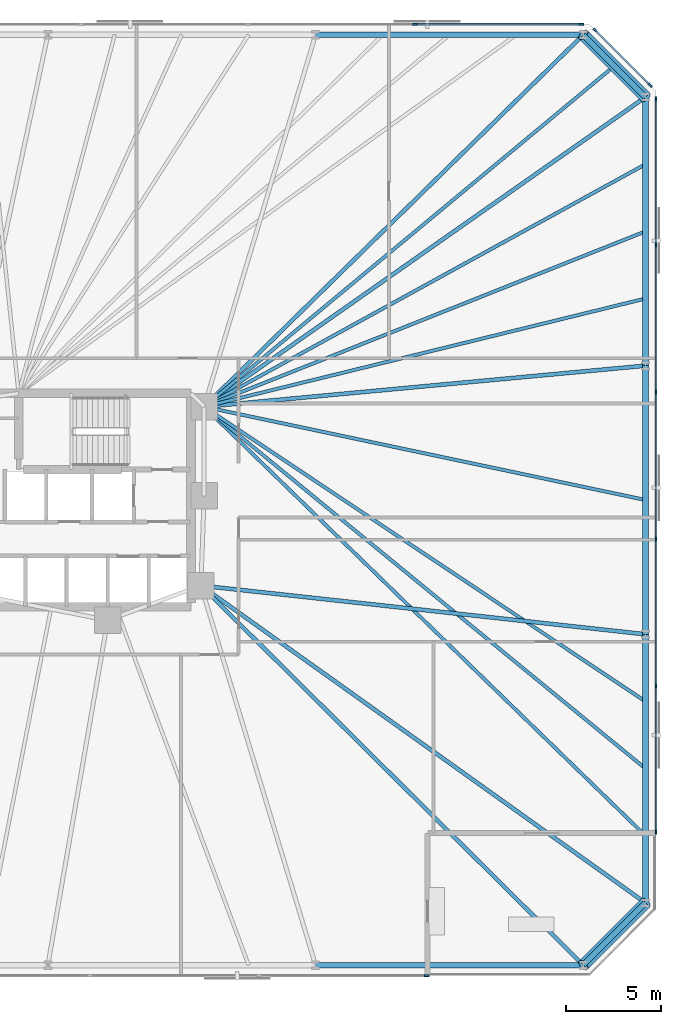
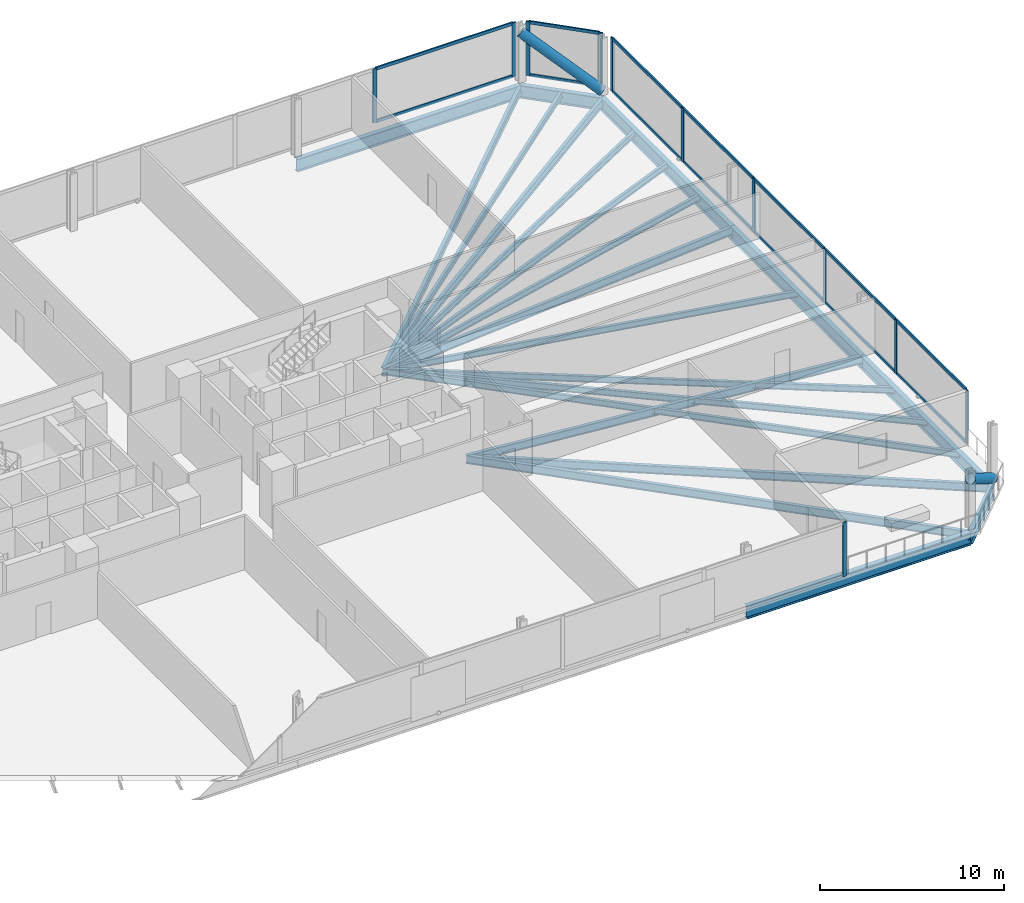
# One storey, part 10 of 17: 27 members, 21 beams, 4 elements without a shape of their own.
"""IFC4 building model written with IfcOpenShell, lengths in metres."""

from ifc_helpers import new_model, si_unit, direction, frame, origin, origin_2d, place, context, subcontext, project, spatial, rectangle, hollow_circle, i_section, extrude, material, material_profile, profile_set, type_object, element, aggregate, save


model = new_model("IFC4")

# Units and contexts
model_context = context("Model", 3, precision=1e-05, world=origin(), true_north=direction((0.0, 1.0)))
body_context = subcontext(model_context, "Body", "Model", "MODEL_VIEW")
ifc_project = project(units=[si_unit("LENGTHUNIT", "METRE"), si_unit("AREAUNIT", "SQUARE_METRE"), si_unit("VOLUMEUNIT", "CUBIC_METRE"), si_unit("PLANEANGLEUNIT", "RADIAN"), si_unit("MASSUNIT", "GRAM", prefix="KILO")], contexts=[model_context])

# Site, building, storey
site_placement = place(None, origin())
site = spatial("IfcSite", under=ifc_project, at=site_placement, CompositionType="ELEMENT")
building_placement = place(site_placement, origin())
building = spatial("IfcBuilding", under=site, at=building_placement, Name="Menara Jurai Vektor", CompositionType="ELEMENT")
storey_placement = place(building_placement, frame((0.0, 0.0, 44.60009765625)))
storey = spatial("IfcBuildingStorey", under=building, at=storey_placement, Name="L10", CompositionType="ELEMENT", Elevation=44.60009765625)

# Curtain wall, members
ifc_material_1 = material(Name="Anodised Pale Aluminium & Low-E Double Glazing", Category="aluminium")
curtain_wall_type = type_object("IfcCurtainWallType", Name="CW-BLK1", PredefinedType="NOTDEFINED", material=ifc_material_1)
curtain_wall_1_placement = place(storey_placement, origin())
curtain_wall_1 = element("IfcCurtainWall", 1, at=curtain_wall_1_placement, inside=storey, type_object=curtain_wall_type, Name="Unitised Curtain Wall L10 F03", PredefinedType="NOTDEFINED")
ifc_material_2 = material(Name="Anodised Pale Aluminium Mullion", Category="aluminium")
ifc_material_profile_1 = material_profile(ifc_material_2, rectangle(XDim=0.094970703125, YDim=0.239990234375, at=origin_2d()), Name="ALU MUL 95x240")
ifc_profile_set_1 = profile_set([ifc_material_profile_1], Name="Anodised Pale Aluminium Mullion")
member_type_1 = type_object("IfcMemberType", Name="CW-BLK1-MUL", PredefinedType="MULLION", material=ifc_profile_set_1)
member_1_placement = place(storey_placement, frame((39.0, -17.452392578125, 0.0), z_axis=(0.0, 0.0, 1.0), x_axis=(-1.0, 0.0, 0.0)))
member_1 = element("IfcMember", 2, at=member_1_placement, type_object=member_type_1, Name="CW-01 mullion 1", PredefinedType="MULLION", context=body_context, shape_type="SweptSolid", body=[
    extrude(rectangle(XDim=0.094970703125, YDim=0.239990234375, at=origin_2d()), origin(), (0.0, 0.0, 1.0), 3.574951171875),
])
member_2_placement = place(storey_placement, frame((39.0, -9.77587890625, 0.0), z_axis=(0.0, 0.0, 1.0), x_axis=(-1.0, 0.0, 0.0)))
member_2 = element("IfcMember", 3, at=member_2_placement, type_object=member_type_1, Name="CW-01 mullion 2", PredefinedType="MULLION", context=body_context, shape_type="SweptSolid", body=[
    extrude(rectangle(XDim=0.094970703125, YDim=0.239990234375, at=origin_2d()), origin(), (0.0, 0.0, 1.0), 3.574951171875),
])
member_3_placement = place(storey_placement, frame((39.0, -2.052001953125, 0.0), z_axis=(0.0, 0.0, 1.0), x_axis=(-1.0, 0.0, 0.0)))
member_3 = element("IfcMember", 4, at=member_3_placement, type_object=member_type_1, Name="CW-01 mullion 3", PredefinedType="MULLION", context=body_context, shape_type="SweptSolid", body=[
    extrude(rectangle(XDim=0.094970703125, YDim=0.239990234375, at=origin_2d()), origin(), (0.0, 0.0, 1.0), 3.574951171875),
])
member_4_placement = place(storey_placement, frame((39.0, 5.672119140625, 0.0), z_axis=(0.0, 0.0, 1.0), x_axis=(-1.0, 0.0, 0.0)))
member_4 = element("IfcMember", 5, at=member_4_placement, type_object=member_type_1, Name="CW-01 mullion 4", PredefinedType="MULLION", context=body_context, shape_type="SweptSolid", body=[
    extrude(rectangle(XDim=0.094970703125, YDim=0.239990234375, at=origin_2d()), origin(), (0.0, 0.0, 1.0), 3.574951171875),
])
member_5_placement = place(storey_placement, frame((39.0, 13.39599609375, 0.0), z_axis=(0.0, 0.0, 1.0), x_axis=(-1.0, 0.0, 0.0)))
member_5 = element("IfcMember", 6, at=member_5_placement, type_object=member_type_1, Name="CW-01 mullion 5", PredefinedType="MULLION", context=body_context, shape_type="SweptSolid", body=[
    extrude(rectangle(XDim=0.094970703125, YDim=0.239990234375, at=origin_2d()), origin(), (0.0, 0.0, 1.0), 3.574951171875),
])
member_6_placement = place(storey_placement, frame((39.0, 21.072509765625, 0.0), z_axis=(0.0, 0.0, 1.0), x_axis=(-1.0, 0.0, 0.0)))
member_6 = element("IfcMember", 7, at=member_6_placement, type_object=member_type_1, Name="CW-01 mullion 6", PredefinedType="MULLION", context=body_context, shape_type="SweptSolid", body=[
    extrude(rectangle(XDim=0.094970703125, YDim=0.239990234375, at=origin_2d()), origin(), (0.0, 0.0, 1.0), 3.574951171875),
])

curtain_wall_2_placement = place(storey_placement, origin())
curtain_wall_2 = element("IfcCurtainWall", 8, at=curtain_wall_2_placement, inside=storey, type_object=curtain_wall_type, Name="Unitised Curtain Wall L10 F04", PredefinedType="NOTDEFINED")
member_7_placement = place(storey_placement, frame((38.69775390625, 21.80224609375, 0.0), z_axis=(0.0, 0.0, 1.0), x_axis=(-0.707106781187, -0.707106781187, 0.0)))
member_7 = element("IfcMember", 9, at=member_7_placement, type_object=member_type_1, Name="CW-01 mullion 1", PredefinedType="MULLION", context=body_context, shape_type="SweptSolid", body=[
    extrude(rectangle(XDim=0.094970703125, YDim=0.239990234375, at=origin_2d()), origin(), (0.0, 0.0, 1.0), 3.574951171875),
])
member_8_placement = place(storey_placement, frame((35.80224609375, 24.69775390625, 0.0), z_axis=(0.0, 0.0, 1.0), x_axis=(-0.707106781187, -0.707106781187, 0.0)))
member_8 = element("IfcMember", 10, at=member_8_placement, type_object=member_type_1, Name="CW-01 mullion 2", PredefinedType="MULLION", context=body_context, shape_type="SweptSolid", body=[
    extrude(rectangle(XDim=0.094970703125, YDim=0.239990234375, at=origin_2d()), origin(), (0.0, 0.0, 1.0), 3.574951171875),
])

curtain_wall_3_placement = place(storey_placement, origin())
curtain_wall_3 = element("IfcCurtainWall", 11, at=curtain_wall_3_placement, inside=storey, type_object=curtain_wall_type, Name="Unitised Curtain Wall L10 F05", PredefinedType="NOTDEFINED")
member_9_placement = place(storey_placement, frame((35.072509765625, 25.0, 0.0), z_axis=(0.0, 0.0, 1.0), x_axis=(0.0, -1.0, 0.0)))
member_9 = element("IfcMember", 12, at=member_9_placement, type_object=member_type_1, Name="CW-01 mullion 1", PredefinedType="MULLION", context=body_context, shape_type="SweptSolid", body=[
    extrude(rectangle(XDim=0.094970703125, YDim=0.239990234375, at=origin_2d()), origin(), (0.0, 0.0, 1.0), 3.574951171875),
])
member_10_placement = place(storey_placement, frame((26.340087890625, 25.0, 0.0), z_axis=(0.0, 0.0, 1.0), x_axis=(0.0, -1.0, 0.0)))
member_10 = element("IfcMember", 13, at=member_10_placement, type_object=member_type_1, Name="CW-01 mullion 2", PredefinedType="MULLION", context=body_context, shape_type="SweptSolid", body=[
    extrude(rectangle(XDim=0.094970703125, YDim=0.239990234375, at=origin_2d()), origin(), (0.0, 0.0, 1.0), 3.574951171875),
])

# Curtain wall, member
curtain_wall_4_placement = place(storey_placement, origin())
curtain_wall_4 = element("IfcCurtainWall", 14, at=curtain_wall_4_placement, inside=storey, type_object=curtain_wall_type, Name="Unitised Curtain Wall L10 F09", PredefinedType="NOTDEFINED")
member_11_placement = place(storey_placement, frame((26.952392578125, -25.0, 0.0), z_axis=(0.0, 0.0, 1.0), x_axis=(0.0, 1.0, 0.0)))
member_11 = element("IfcMember", 15, at=member_11_placement, type_object=member_type_1, Name="CW-01 mullion 8", PredefinedType="MULLION", context=body_context, shape_type="SweptSolid", body=[
    extrude(rectangle(XDim=0.094970703125, YDim=0.239990234375, at=origin_2d()), origin(), (0.0, 0.0, 1.0), 3.574951171875),
])
aggregate(curtain_wall_4, [member_11])

# Member
ifc_material_3 = material(Name="Anodised Pale Aluminium Transom", Category="aluminium")
ifc_material_profile_2 = material_profile(ifc_material_3, rectangle(XDim=0.094970703125, YDim=0.199951171875, at=origin_2d()), Name="ALU TRN 95x200")
ifc_profile_set_2 = profile_set([ifc_material_profile_2], Name="Anodised Pale Aluminium Transom")
member_type_2 = type_object("IfcMemberType", Name="CW-BLK1-TRN", PredefinedType="USERDEFINED", material=ifc_profile_set_2)
member_12_placement = place(storey_placement, frame((39.0, -17.405029296875, 0.04736328125), z_axis=(0.0, 1.0, 0.0), x_axis=(-1.0, 0.0, 0.0)))
member_12 = element("IfcMember", 16, at=member_12_placement, type_object=member_type_2, Name="CW-01 transom 1.1", ObjectType="TRANSOM", PredefinedType="USERDEFINED", context=body_context, shape_type="SweptSolid", body=[
    extrude(rectangle(XDim=0.094970703125, YDim=0.199951171875, at=origin_2d()), origin(), (0.0, 0.0, 1.0), 7.58154296875),
])

member_13_placement = place(storey_placement, frame((39.0, -17.405029296875, 3.52734375), z_axis=(0.0, 1.0, 0.0), x_axis=(-1.0, 0.0, 0.0)))
member_13 = element("IfcMember", 17, at=member_13_placement, type_object=member_type_2, Name="CW-01 transom 1.2", ObjectType="TRANSOM", PredefinedType="USERDEFINED", context=body_context, shape_type="SweptSolid", body=[
    extrude(rectangle(XDim=0.094970703125, YDim=0.199951171875, at=origin_2d()), origin(), (0.0, 0.0, 1.0), 7.58154296875),
])

member_14_placement = place(storey_placement, frame((39.0, -9.728515625, 0.04736328125), z_axis=(0.0, 1.0, 0.0), x_axis=(-1.0, 0.0, 0.0)))
member_14 = element("IfcMember", 18, at=member_14_placement, type_object=member_type_2, Name="CW-01 transom 2.1", ObjectType="TRANSOM", PredefinedType="USERDEFINED", context=body_context, shape_type="SweptSolid", body=[
    extrude(rectangle(XDim=0.094970703125, YDim=0.199951171875, at=origin_2d()), origin(), (0.0, 0.0, 1.0), 7.62890625),
])

member_15_placement = place(storey_placement, frame((39.0, -9.728515625, 3.52734375), z_axis=(0.0, 1.0, 0.0), x_axis=(-1.0, 0.0, 0.0)))
member_15 = element("IfcMember", 19, at=member_15_placement, type_object=member_type_2, Name="CW-01 transom 2.2", ObjectType="TRANSOM", PredefinedType="USERDEFINED", context=body_context, shape_type="SweptSolid", body=[
    extrude(rectangle(XDim=0.094970703125, YDim=0.199951171875, at=origin_2d()), origin(), (0.0, 0.0, 1.0), 7.62890625),
])

member_16_placement = place(storey_placement, frame((39.0, -2.00439453125, 0.04736328125), z_axis=(0.0, 1.0, 0.0), x_axis=(-1.0, 0.0, 0.0)))
member_16 = element("IfcMember", 20, at=member_16_placement, type_object=member_type_2, Name="CW-01 transom 3.1", ObjectType="TRANSOM", PredefinedType="USERDEFINED", context=body_context, shape_type="SweptSolid", body=[
    extrude(rectangle(XDim=0.094970703125, YDim=0.199951171875, at=origin_2d()), origin(), (0.0, 0.0, 1.0), 7.62890625),
])

member_17_placement = place(storey_placement, frame((39.0, -2.00439453125, 3.52734375), z_axis=(0.0, 1.0, 0.0), x_axis=(-1.0, 0.0, 0.0)))
member_17 = element("IfcMember", 21, at=member_17_placement, type_object=member_type_2, Name="CW-01 transom 3.2", ObjectType="TRANSOM", PredefinedType="USERDEFINED", context=body_context, shape_type="SweptSolid", body=[
    extrude(rectangle(XDim=0.094970703125, YDim=0.199951171875, at=origin_2d()), origin(), (0.0, 0.0, 1.0), 7.62890625),
])

member_18_placement = place(storey_placement, frame((39.0, 5.719482421875, 0.04736328125), z_axis=(0.0, 1.0, 0.0), x_axis=(-1.0, 0.0, 0.0)))
member_18 = element("IfcMember", 22, at=member_18_placement, type_object=member_type_2, Name="CW-01 transom 4.1", ObjectType="TRANSOM", PredefinedType="USERDEFINED", context=body_context, shape_type="SweptSolid", body=[
    extrude(rectangle(XDim=0.094970703125, YDim=0.199951171875, at=origin_2d()), origin(), (0.0, 0.0, 1.0), 7.62890625),
])

member_19_placement = place(storey_placement, frame((39.0, 5.719482421875, 3.52734375), z_axis=(0.0, 1.0, 0.0), x_axis=(-1.0, 0.0, 0.0)))
member_19 = element("IfcMember", 23, at=member_19_placement, type_object=member_type_2, Name="CW-01 transom 4.2", ObjectType="TRANSOM", PredefinedType="USERDEFINED", context=body_context, shape_type="SweptSolid", body=[
    extrude(rectangle(XDim=0.094970703125, YDim=0.199951171875, at=origin_2d()), origin(), (0.0, 0.0, 1.0), 7.62890625),
])

member_20_placement = place(storey_placement, frame((39.0, 13.443603515625, 0.04736328125), z_axis=(0.0, 1.0, 0.0), x_axis=(-1.0, 0.0, 0.0)))
member_20 = element("IfcMember", 24, at=member_20_placement, type_object=member_type_2, Name="CW-01 transom 5.1", ObjectType="TRANSOM", PredefinedType="USERDEFINED", context=body_context, shape_type="SweptSolid", body=[
    extrude(rectangle(XDim=0.094970703125, YDim=0.199951171875, at=origin_2d()), origin(), (0.0, 0.0, 1.0), 7.581298828125),
])

member_21_placement = place(storey_placement, frame((39.0, 13.443603515625, 3.52734375), z_axis=(0.0, 1.0, 0.0), x_axis=(-1.0, 0.0, 0.0)))
member_21 = element("IfcMember", 25, at=member_21_placement, type_object=member_type_2, Name="CW-01 transom 5.2", ObjectType="TRANSOM", PredefinedType="USERDEFINED", context=body_context, shape_type="SweptSolid", body=[
    extrude(rectangle(XDim=0.094970703125, YDim=0.199951171875, at=origin_2d()), origin(), (0.0, 0.0, 1.0), 7.581298828125),
])

aggregate(curtain_wall_1, [member_1, member_2, member_3, member_4, member_5, member_6, member_12, member_13, member_14, member_15, member_16, member_17, member_18, member_19, member_20, member_21])

member_22_placement = place(storey_placement, frame((38.6640625, 21.8359375, 0.04736328125), z_axis=(-0.707106781187, 0.707106781187, 0.0), x_axis=(-0.707106781187, -0.707106781187, 0.0)))
member_22 = element("IfcMember", 26, at=member_22_placement, type_object=member_type_2, Name="CW-01 transom 1.1", ObjectType="TRANSOM", PredefinedType="USERDEFINED", context=body_context, shape_type="SweptSolid", body=[
    extrude(rectangle(XDim=0.094970703125, YDim=0.199951171875, at=origin_2d()), origin(), (0.0, 0.0, 1.0), 3.99951171875),
])

member_23_placement = place(storey_placement, frame((38.6640625, 21.8359375, 3.52734375), z_axis=(-0.707106781187, 0.707106781187, 0.0), x_axis=(-0.707106781187, -0.707106781187, 0.0)))
member_23 = element("IfcMember", 27, at=member_23_placement, type_object=member_type_2, Name="CW-01 transom 1.2", ObjectType="TRANSOM", PredefinedType="USERDEFINED", context=body_context, shape_type="SweptSolid", body=[
    extrude(rectangle(XDim=0.094970703125, YDim=0.199951171875, at=origin_2d()), origin(), (0.0, 0.0, 1.0), 3.99951171875),
])

aggregate(curtain_wall_2, [member_7, member_8, member_22, member_23])

member_24_placement = place(storey_placement, frame((35.02490234375, 25.0, 0.04736328125), z_axis=(-1.0, 0.0, 0.0), x_axis=(0.0, -1.0, 0.0)))
member_24 = element("IfcMember", 28, at=member_24_placement, type_object=member_type_2, Name="CW-01 transom 1.1", ObjectType="TRANSOM", PredefinedType="USERDEFINED", context=body_context, shape_type="SweptSolid", body=[
    extrude(rectangle(XDim=0.094970703125, YDim=0.199951171875, at=origin_2d()), origin(), (0.0, 0.0, 1.0), 8.637451171875),
])

member_25_placement = place(storey_placement, frame((35.02490234375, 25.0, 3.52734375), z_axis=(-1.0, 0.0, 0.0), x_axis=(0.0, -1.0, 0.0)))
member_25 = element("IfcMember", 29, at=member_25_placement, type_object=member_type_2, Name="CW-01 transom 1.2", ObjectType="TRANSOM", PredefinedType="USERDEFINED", context=body_context, shape_type="SweptSolid", body=[
    extrude(rectangle(XDim=0.094970703125, YDim=0.199951171875, at=origin_2d()), origin(), (0.0, 0.0, 1.0), 8.637451171875),
])

aggregate(curtain_wall_3, [member_9, member_10, member_24, member_25])

# Beams
ifc_material_4 = material(Name="Steel S355", Category="steel")
ifc_material_profile_3 = material_profile(ifc_material_4, i_section(OverallWidth=0.2109375, OverallDepth=0.5390625, WebThickness=0.011962890625, FlangeThickness=0.01904296875, FilletRadius=0.012939453125, at=origin_2d()), Name="UKB 533x210x109")
ifc_profile_set_3 = profile_set([ifc_material_profile_3], Name="Steel S355")
beam_type_1 = type_object("IfcBeamType", Name="STR-BM-533", PredefinedType="BEAM", material=ifc_profile_set_3)
beam_1_placement = place(storey_placement, frame((35.177734375, -24.449951171875, -0.49462890625), z_axis=(-0.709709931659, 0.704494011972, 0.0), x_axis=(-0.704494011972, -0.709709931659, 0.0)))
element("IfcBeam", 30, at=beam_1_placement, inside=storey, type_object=beam_type_1, Name="Radial Floor Girder L10-S6", PredefinedType="BEAM", context=body_context, shape_type="SweptSolid", body=[
    extrude(i_section(OverallWidth=0.2109375, OverallDepth=0.5390625, WebThickness=0.011962890625, FlangeThickness=0.01904296875, FilletRadius=0.012939453125, at=origin_2d()), origin(), (0.0, 0.0, 1.0), 28.318115234375),
])
beam_2_placement = place(storey_placement, frame((38.449951171875, -21.177734375, -0.49462890625), z_axis=(-0.813981033216, 0.580891450759, 0.0), x_axis=(-0.580891450759, -0.813981033216, 0.0)))
element("IfcBeam", 31, at=beam_2_placement, inside=storey, type_object=beam_type_1, Name="Radial Floor Girder L10-E1", PredefinedType="BEAM", context=body_context, shape_type="SweptSolid", body=[
    extrude(i_section(OverallWidth=0.2109375, OverallDepth=0.5390625, WebThickness=0.011962890625, FlangeThickness=0.01904296875, FilletRadius=0.012939453125, at=origin_2d()), origin(), (0.0, 0.0, 1.0), 28.710693359375),
])
beam_3_placement = place(storey_placement, frame((38.449951171875, -7.059326171875, -0.49462890625), z_axis=(-0.994056757953, 0.108863042253, 0.0), x_axis=(-0.108863042253, -0.994056757953, 0.0)))
element("IfcBeam", 32, at=beam_3_placement, inside=storey, type_object=beam_type_1, Name="Radial Floor Girder L10-E2", PredefinedType="BEAM", context=body_context, shape_type="SweptSolid", body=[
    extrude(i_section(OverallWidth=0.2109375, OverallDepth=0.5390625, WebThickness=0.011962890625, FlangeThickness=0.01904296875, FilletRadius=0.012939453125, at=origin_2d()), origin(), (0.0, 0.0, 1.0), 23.509521484375),
])
beam_4_placement = place(storey_placement, frame((38.449951171875, 7.059326171875, -0.49462890625), z_axis=(-0.995696113112, -0.092678208514, 0.0), x_axis=(0.092678208514, -0.995696113112, 0.0)))
element("IfcBeam", 33, at=beam_4_placement, inside=storey, type_object=beam_type_1, Name="Radial Floor Girder L10-E3", PredefinedType="BEAM", context=body_context, shape_type="SweptSolid", body=[
    extrude(i_section(OverallWidth=0.2109375, OverallDepth=0.5390625, WebThickness=0.011962890625, FlangeThickness=0.01904296875, FilletRadius=0.012939453125, at=origin_2d()), origin(), (0.0, 0.0, 1.0), 23.30029296875),
])
beam_5_placement = place(storey_placement, frame((38.449951171875, 21.177734375, -0.49462890625), z_axis=(-0.818603732445, -0.574358711283, 0.0), x_axis=(0.574358711283, -0.818603732445, 0.0)))
element("IfcBeam", 34, at=beam_5_placement, inside=storey, type_object=beam_type_1, Name="Radial Floor Girder L10-E4", PredefinedType="BEAM", context=body_context, shape_type="SweptSolid", body=[
    extrude(i_section(OverallWidth=0.2109375, OverallDepth=0.5390625, WebThickness=0.011962890625, FlangeThickness=0.01904296875, FilletRadius=0.012939453125, at=origin_2d()), origin(), (0.0, 0.0, 1.0), 28.3408203125),
])
beam_6_placement = place(storey_placement, frame((35.177734375, 24.449951171875, -0.49462890625), z_axis=(-0.713839032855, -0.700309813706, 0.0), x_axis=(0.700309813706, -0.713839032855, 0.0)))
element("IfcBeam", 35, at=beam_6_placement, inside=storey, type_object=beam_type_1, Name="Radial Floor Girder L10-N1", PredefinedType="BEAM", context=body_context, shape_type="SweptSolid", body=[
    extrude(i_section(OverallWidth=0.2109375, OverallDepth=0.5390625, WebThickness=0.011962890625, FlangeThickness=0.01904296875, FilletRadius=0.012939453125, at=origin_2d()), origin(), (0.0, 0.0, 1.0), 27.916259765625),
])

# Members
ifc_material_5 = material(Name="Steel S460", Category="steel")
ifc_material_profile_4 = material_profile(ifc_material_5, hollow_circle(Radius=0.304931640625, WallThickness=0.02490234375, at=origin_2d()), Name="CHS 610x25")
ifc_profile_set_4 = profile_set([ifc_material_profile_4], Name="Steel S460")
member_type_3 = type_object("IfcMemberType", Name="STR-BR-610", PredefinedType="BRACE", material=ifc_profile_set_4)
for number, where, z_axis, x_axis, name in (
    (36, (38.449951171875, -21.177734375, 0.14990234375), (-0.588942422958, -0.588942422958, 0.553438022619), (0.707106781187, -0.707106781187, 0.0), "Exoskeleton Corner Brace L10-1"),
    (37, (38.449951171875, 21.177734375, 0.14990234375), (-0.588942422958, 0.588942422958, 0.553438022619), (-0.707106781187, -0.707106781187, 0.0), "Exoskeleton Corner Brace L10-2"),
):
    element("IfcMember", number, at=place(storey_placement, frame(where, z_axis=z_axis, x_axis=x_axis)), inside=storey, type_object=member_type_3, Name=name, PredefinedType="BRACE", context=body_context, shape_type="SweptSolid", body=[
        extrude(hollow_circle(Radius=0.304931640625, WallThickness=0.02490234375, at=origin_2d()), origin(), (0.0, 0.0, 1.0), 5.55615234375),
    ])

# Beams
ifc_material_profile_5 = material_profile(ifc_material_4, i_section(OverallWidth=0.178955078125, OverallDepth=0.408935546875, WebThickness=0.009033203125, FlangeThickness=0.013916015625, FilletRadius=0.010009765625, at=origin_2d()), Name="UKB 406x178x67")
ifc_profile_set_5 = profile_set([ifc_material_profile_5], Name="Steel S355")
beam_type_2 = type_object("IfcBeamType", Name="STR-JS-406", PredefinedType="JOIST", material=ifc_profile_set_5)
beam_7_placement = place(storey_placement, frame((38.449951171875, -17.648193359375, -0.4296875), z_axis=(-0.71710942187, 0.696960599363, 0.0), x_axis=(-0.696960599363, -0.71710942187, 0.0)))
element("IfcBeam", 38, at=beam_7_placement, inside=storey, type_object=beam_type_2, Name="Radial Secondary Floor Joist L10-JS08", PredefinedType="JOIST", context=body_context, shape_type="SweptSolid", body=[
    extrude(i_section(OverallWidth=0.178955078125, OverallDepth=0.408935546875, WebThickness=0.009033203125, FlangeThickness=0.013916015625, FilletRadius=0.010009765625, at=origin_2d()), origin(), (0.0, 0.0, 1.0), 32.35205078125),
])
beam_8_placement = place(storey_placement, frame((38.449951171875, -14.118408203125, -0.4296875), z_axis=(-0.773360118456, 0.633966976413, 0.0), x_axis=(-0.633966976413, -0.773360118456, 0.0)))
element("IfcBeam", 39, at=beam_8_placement, inside=storey, type_object=beam_type_2, Name="Radial Secondary Floor Joist L10-JS09", PredefinedType="JOIST", context=body_context, shape_type="SweptSolid", body=[
    extrude(i_section(OverallWidth=0.178955078125, OverallDepth=0.408935546875, WebThickness=0.009033203125, FlangeThickness=0.013916015625, FilletRadius=0.010009765625, at=origin_2d()), origin(), (0.0, 0.0, 1.0), 29.998779296875),
])
beam_9_placement = place(storey_placement, frame((38.449951171875, -10.5888671875, -0.4296875), z_axis=(-0.831683872109, 0.555249436627, 0.0), x_axis=(-0.555249436627, -0.831683872109, 0.0)))
element("IfcBeam", 40, at=beam_9_placement, inside=storey, type_object=beam_type_2, Name="Radial Secondary Floor Joist L10-JS10", PredefinedType="JOIST", context=body_context, shape_type="SweptSolid", body=[
    extrude(i_section(OverallWidth=0.178955078125, OverallDepth=0.408935546875, WebThickness=0.009033203125, FlangeThickness=0.013916015625, FilletRadius=0.010009765625, at=origin_2d()), origin(), (0.0, 0.0, 1.0), 27.895263671875),
])
beam_10_placement = place(storey_placement, frame((38.449951171875, 0.0, -0.4296875), z_axis=(-0.978416084102, 0.206644541109, 0.0), x_axis=(-0.206644541109, -0.978416084102, 0.0)))
element("IfcBeam", 41, at=beam_10_placement, inside=storey, type_object=beam_type_2, Name="Radial Secondary Floor Joist L10-JS11", PredefinedType="JOIST", context=body_context, shape_type="SweptSolid", body=[
    extrude(i_section(OverallWidth=0.178955078125, OverallDepth=0.408935546875, WebThickness=0.009033203125, FlangeThickness=0.013916015625, FilletRadius=0.010009765625, at=origin_2d()), origin(), (0.0, 0.0, 1.0), 23.711669921875),
])
beam_11_placement = place(storey_placement, frame((38.449951171875, 10.5888671875, -0.4296875), z_axis=(-0.971226234641, -0.238158772976, 0.0), x_axis=(0.238158772976, -0.971226234641, 0.0)))
element("IfcBeam", 42, at=beam_11_placement, inside=storey, type_object=beam_type_2, Name="Radial Secondary Floor Joist L10-JS12", PredefinedType="JOIST", context=body_context, shape_type="SweptSolid", body=[
    extrude(i_section(OverallWidth=0.178955078125, OverallDepth=0.408935546875, WebThickness=0.009033203125, FlangeThickness=0.013916015625, FilletRadius=0.010009765625, at=origin_2d()), origin(), (0.0, 0.0, 1.0), 23.88720703125),
])
beam_12_placement = place(storey_placement, frame((38.449951171875, 14.118408203125, -0.4296875), z_axis=(-0.929323400723, -0.369266864027, 0.0), x_axis=(0.369266864027, -0.929323400723, 0.0)))
element("IfcBeam", 43, at=beam_12_placement, inside=storey, type_object=beam_type_2, Name="Radial Secondary Floor Joist L10-JS13", PredefinedType="JOIST", context=body_context, shape_type="SweptSolid", body=[
    extrude(i_section(OverallWidth=0.178955078125, OverallDepth=0.408935546875, WebThickness=0.009033203125, FlangeThickness=0.013916015625, FilletRadius=0.010009765625, at=origin_2d()), origin(), (0.0, 0.0, 1.0), 24.96435546875),
])
beam_13_placement = place(storey_placement, frame((38.449951171875, 17.648193359375, -0.4296875), z_axis=(-0.87640219057, -0.481579900291, 0.0), x_axis=(0.481579900291, -0.87640219057, 0.0)))
element("IfcBeam", 44, at=beam_13_placement, inside=storey, type_object=beam_type_2, Name="Radial Secondary Floor Joist L10-JS14", PredefinedType="JOIST", context=body_context, shape_type="SweptSolid", body=[
    extrude(i_section(OverallWidth=0.178955078125, OverallDepth=0.408935546875, WebThickness=0.009033203125, FlangeThickness=0.013916015625, FilletRadius=0.010009765625, at=origin_2d()), origin(), (0.0, 0.0, 1.0), 26.471923828125),
])
beam_14_placement = place(storey_placement, frame((36.81396484375, 22.81396484375, -0.4296875), z_axis=(-0.769201173096, -0.639006694259, 0.0), x_axis=(0.639006694259, -0.769201173096, 0.0)))
element("IfcBeam", 45, at=beam_14_placement, inside=storey, type_object=beam_type_2, Name="Radial Secondary Floor Joist L10-JS15", PredefinedType="JOIST", context=body_context, shape_type="SweptSolid", body=[
    extrude(i_section(OverallWidth=0.178955078125, OverallDepth=0.408935546875, WebThickness=0.009033203125, FlangeThickness=0.013916015625, FilletRadius=0.010009765625, at=origin_2d()), origin(), (0.0, 0.0, 1.0), 28.0341796875),
])
ifc_material_profile_6 = material_profile(ifc_material_5, i_section(OverallWidth=0.2939453125, OverallDepth=0.85107421875, WebThickness=0.01611328125, FlangeThickness=0.027099609375, FilletRadius=0.01806640625, at=origin_2d()), Name="UKB 838x292x226")
ifc_profile_set_6 = profile_set([ifc_material_profile_6], Name="Steel S460")
beam_type_3 = type_object("IfcBeamType", Name="STR-SP-838", PredefinedType="SPANDREL", material=ifc_profile_set_6)
beam_15_placement = place(storey_placement, frame((21.106689453125, -24.449951171875, -0.650634765625), z_axis=(1.0, 0.0, 0.0), x_axis=(0.0, 1.0, 0.0)))
element("IfcBeam", 46, at=beam_15_placement, inside=storey, type_object=beam_type_3, Name="Exoskeleton Spandrel Beam L10-05", PredefinedType="SPANDREL", context=body_context, shape_type="SweptSolid", body=[
    extrude(i_section(OverallWidth=0.2939453125, OverallDepth=0.85107421875, WebThickness=0.01611328125, FlangeThickness=0.027099609375, FilletRadius=0.01806640625, at=origin_2d()), origin(), (0.0, 0.0, 1.0), 14.071044921875),
])
beam_16_placement = place(storey_placement, frame((35.177734375, -24.449951171875, -0.650634765625), z_axis=(0.707106781187, 0.707106781187, 0.0), x_axis=(-0.707106781187, 0.707106781187, 0.0)))
element("IfcBeam", 47, at=beam_16_placement, inside=storey, type_object=beam_type_3, Name="Exoskeleton Spandrel Beam L10-06", PredefinedType="SPANDREL", context=body_context, shape_type="SweptSolid", body=[
    extrude(i_section(OverallWidth=0.2939453125, OverallDepth=0.85107421875, WebThickness=0.01611328125, FlangeThickness=0.027099609375, FilletRadius=0.01806640625, at=origin_2d()), origin(), (0.0, 0.0, 1.0), 4.627685546875),
])
beam_17_placement = place(storey_placement, frame((38.449951171875, -21.177734375, -0.650634765625), z_axis=(0.0, 1.0, 0.0), x_axis=(-1.0, 0.0, 0.0)))
element("IfcBeam", 48, at=beam_17_placement, inside=storey, type_object=beam_type_3, Name="Exoskeleton Spandrel Beam L10-07", PredefinedType="SPANDREL", context=body_context, shape_type="SweptSolid", body=[
    extrude(i_section(OverallWidth=0.2939453125, OverallDepth=0.85107421875, WebThickness=0.01611328125, FlangeThickness=0.027099609375, FilletRadius=0.01806640625, at=origin_2d()), origin(), (0.0, 0.0, 1.0), 14.118408203125),
])
beam_18_placement = place(storey_placement, frame((38.449951171875, -7.059326171875, -0.650634765625), z_axis=(0.0, 1.0, 0.0), x_axis=(-1.0, 0.0, 0.0)))
element("IfcBeam", 49, at=beam_18_placement, inside=storey, type_object=beam_type_3, Name="Exoskeleton Spandrel Beam L10-08", PredefinedType="SPANDREL", context=body_context, shape_type="SweptSolid", body=[
    extrude(i_section(OverallWidth=0.2939453125, OverallDepth=0.85107421875, WebThickness=0.01611328125, FlangeThickness=0.027099609375, FilletRadius=0.01806640625, at=origin_2d()), origin(), (0.0, 0.0, 1.0), 14.11865234375),
])
beam_19_placement = place(storey_placement, frame((38.449951171875, 7.059326171875, -0.650634765625), z_axis=(0.0, 1.0, 0.0), x_axis=(-1.0, 0.0, 0.0)))
element("IfcBeam", 50, at=beam_19_placement, inside=storey, type_object=beam_type_3, Name="Exoskeleton Spandrel Beam L10-09", PredefinedType="SPANDREL", context=body_context, shape_type="SweptSolid", body=[
    extrude(i_section(OverallWidth=0.2939453125, OverallDepth=0.85107421875, WebThickness=0.01611328125, FlangeThickness=0.027099609375, FilletRadius=0.01806640625, at=origin_2d()), origin(), (0.0, 0.0, 1.0), 14.118408203125),
])
beam_20_placement = place(storey_placement, frame((38.449951171875, 21.177734375, -0.650634765625), z_axis=(-0.707106781187, 0.707106781187, 0.0), x_axis=(-0.707106781187, -0.707106781187, 0.0)))
element("IfcBeam", 51, at=beam_20_placement, inside=storey, type_object=beam_type_3, Name="Exoskeleton Spandrel Beam L10-10", PredefinedType="SPANDREL", context=body_context, shape_type="SweptSolid", body=[
    extrude(i_section(OverallWidth=0.2939453125, OverallDepth=0.85107421875, WebThickness=0.01611328125, FlangeThickness=0.027099609375, FilletRadius=0.01806640625, at=origin_2d()), origin(), (0.0, 0.0, 1.0), 4.627685546875),
])
beam_21_placement = place(storey_placement, frame((35.177734375, 24.449951171875, -0.650634765625), z_axis=(-1.0, 0.0, 0.0), x_axis=(0.0, -1.0, 0.0)))
element("IfcBeam", 52, at=beam_21_placement, inside=storey, type_object=beam_type_3, Name="Exoskeleton Spandrel Beam L10-11", PredefinedType="SPANDREL", context=body_context, shape_type="SweptSolid", body=[
    extrude(i_section(OverallWidth=0.2939453125, OverallDepth=0.85107421875, WebThickness=0.01611328125, FlangeThickness=0.027099609375, FilletRadius=0.01806640625, at=origin_2d()), origin(), (0.0, 0.0, 1.0), 14.071044921875),
])

save(model, "model.ifc")
